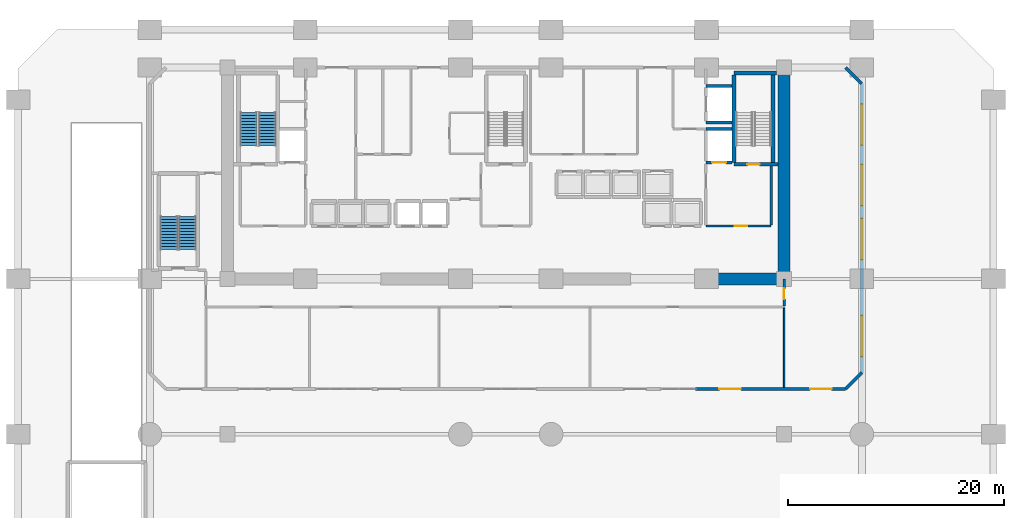
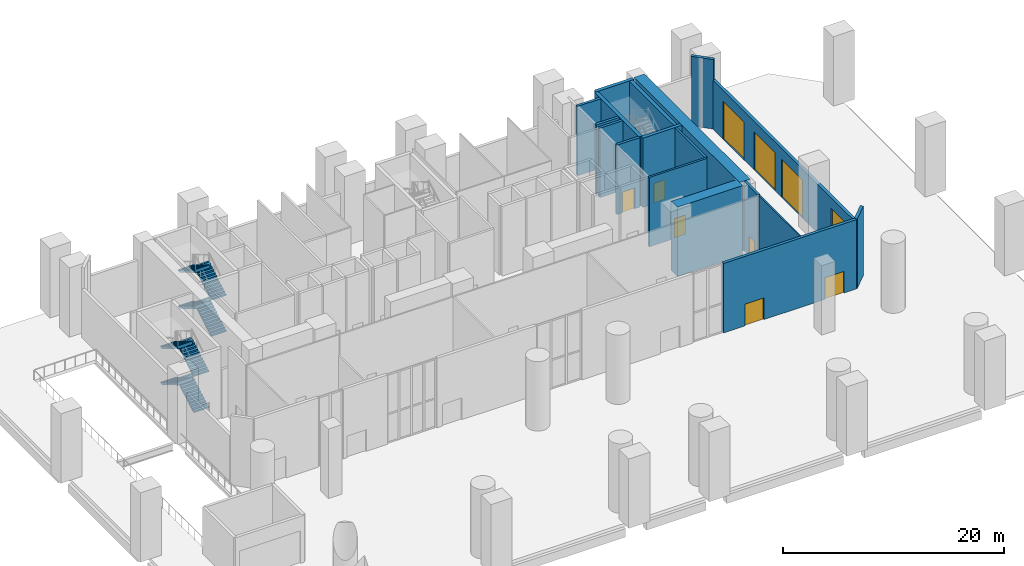
# One storey, part 13 of 17: 18 walls, 10 doors, 8 stair flights, 10 openings, 2 elements without a shape of their own.
"""IFC4 building model written with IfcOpenShell, lengths in metres."""

from ifc_helpers import new_model, si_unit, direction, frame, frame_2d, origin, place, context, subcontext, project, spatial, polyline, rectangle, outline, extrude, material, layer, layer_set, type_object, element, fill, aggregate, save


model = new_model("IFC4")

# Units and contexts
model_context = context("Model", 3, precision=1e-05, world=origin(), true_north=direction((0.0, 1.0)))
body_context = subcontext(model_context, "Body", "Model", "MODEL_VIEW")
ifc_project = project(units=[si_unit("LENGTHUNIT", "METRE"), si_unit("AREAUNIT", "SQUARE_METRE"), si_unit("VOLUMEUNIT", "CUBIC_METRE"), si_unit("PLANEANGLEUNIT", "RADIAN"), si_unit("MASSUNIT", "GRAM", prefix="KILO")], contexts=[model_context])

# Site, building, storey
site_placement = place(None, origin())
site = spatial("IfcSite", under=ifc_project, at=site_placement, CompositionType="ELEMENT")
building_placement = place(site_placement, origin())
building = spatial("IfcBuilding", under=site, at=building_placement, Name="Kaelvorn Grand Hotel", CompositionType="ELEMENT")
storey_placement = place(building_placement, origin())
storey = spatial("IfcBuildingStorey", under=building, at=storey_placement, Name="L00", CompositionType="ELEMENT", Elevation=0.0)

# Walls
ifc_material_1 = material(Name="Concrete C80/95", Category="concrete")
ifc_layer_1 = layer(ifc_material_1, 1.10009765625)
ifc_layer_set_1 = layer_set([ifc_layer_1], Name="Concrete C80/95")
wall_type_1 = type_object("IfcWallType", Name="WL-CORE-1100-C80", PredefinedType="SHEAR", material=ifc_layer_set_1)
wall_1_placement = place(storey_placement, frame((67.800048828125, 29.39990234375, 0.0), z_axis=(0.0, 0.0, 1.0), x_axis=(0.0, 1.0, 0.0)))
element("IfcWall", 1, at=wall_1_placement, inside=storey, type_object=wall_type_1, Name="L00 Rear-Core East Shear Wall", PredefinedType="SHEAR", context=body_context, shape_type="SweptSolid", body=[
    extrude(rectangle(XDim=19.2001953125, YDim=1.10009765625, at=frame_2d((9.60009765625, 0.0))), origin(), (0.0, 0.0, 1.0), 7.679931640625),
])
wall_2_placement = place(storey_placement, frame((60.39990234375, 29.39990234375, 0.0), z_axis=(0.0, 0.0, 1.0), x_axis=(1.0, 0.0, 0.0)))
element("IfcWall", 2, at=wall_2_placement, inside=storey, type_object=wall_type_1, Name="L00 Rear-Core Coupled Shear Pier S4", PredefinedType="SHEAR", context=body_context, shape_type="SweptSolid", body=[
    extrude(rectangle(XDim=6.84521484375, YDim=1.10009765625, at=frame_2d((3.422607421875, 0.0))), origin(), (0.0, 0.0, 1.0), 7.679931640625),
])

# Wall, openings, doors
ifc_material_2 = material(Name="Concrete C40/50", Category="concrete")
ifc_layer_2 = layer(ifc_material_2, 0.300048828125)
ifc_layer_set_2 = layer_set([ifc_layer_2], Name="Concrete C40/50")
wall_type_2 = type_object("IfcWallType", Name="WL-EXT-300-C40", PredefinedType="SOLIDWALL", material=ifc_layer_set_2)
wall_3_placement = place(storey_placement, frame((73.5, 19.199951171875, 0.0), z_axis=(0.0, 0.0, 1.0), x_axis=(-1.0, 0.0, 0.0)))
wall_3 = element("IfcWall", 3, at=wall_3_placement, inside=storey, type_object=wall_type_2, Name="L00 Ground Arrival Hall Exterior Wall 01 Pier 1", PredefinedType="SOLIDWALL", context=body_context, shape_type="SweptSolid", body=[
    extrude(rectangle(XDim=13.905029296875, YDim=0.300048828125, at=frame_2d((6.95263671875, 0.0))), origin(), (0.0, 0.0, 1.0), 7.679931640625),
])
opening_1_placement = place(wall_3_placement, frame((9.699951171875, 0.0, 0.0)))
opening_1 = element("IfcOpeningElement", 4, at=opening_1_placement, cuts=wall_3, Name="Opening DE1", PredefinedType="OPENING", context=body_context, shape_type="SweptSolid", body=[
    extrude(rectangle(XDim=2.0, YDim=2.39990234375, at=frame_2d((1.0, 1.199951171875))), frame((0.0, 0.16015625, 0.0), z_axis=(0.0, -1.0, 0.0), x_axis=(1.0, 0.0, 0.0)), (0.0, 0.0, 1.0), 0.320068359375),
])
opening_2_placement = place(wall_3_placement, frame((1.300048828125, 0.0, 0.0)))
opening_2 = element("IfcOpeningElement", 5, at=opening_2_placement, cuts=wall_3, Name="Opening DE1", PredefinedType="OPENING", context=body_context, shape_type="SweptSolid", body=[
    extrude(rectangle(XDim=2.0, YDim=2.39990234375, at=frame_2d((1.0, 1.199951171875))), frame((0.0, 0.16015625, 0.0), z_axis=(0.0, -1.0, 0.0), x_axis=(1.0, 0.0, 0.0)), (0.0, 0.0, 1.0), 0.320068359375),
])
ifc_material_3 = material(Name="Anodised Aluminium", Category="aluminium")
door_type_1 = type_object("IfcDoorType", Name="DR-EXT-EXIT-2000x2400", OperationType="DOUBLE_DOOR_SINGLE_SWING", PredefinedType="DOOR", material=ifc_material_3)
door_1_placement = place(opening_1_placement, origin())
door_1 = element("IfcDoor", 6, at=door_1_placement, inside=storey, type_object=door_type_1, Name="L00 Final Pedestrian Exit Double Door DE1-05", OperationType="DOUBLE_DOOR_SINGLE_SWING", OverallHeight=2.39990234375, OverallWidth=2.0, PredefinedType="DOOR", context=body_context, shape_type="SweptSolid", body=[
    extrude(rectangle(XDim=2.0, YDim=2.39990234375, at=frame_2d((1.0, 1.199951171875))), frame((0.0, 0.02490234375, 0.0), z_axis=(0.0, -1.0, 0.0), x_axis=(1.0, 0.0, 0.0)), (0.0, 0.0, 1.0), 0.050048828125),
])
fill(opening_1, door_1)
door_2_placement = place(opening_2_placement, origin())
door_2 = element("IfcDoor", 7, at=door_2_placement, inside=storey, type_object=door_type_1, Name="L00 Final Pedestrian Exit Double Door DE1-06", OperationType="DOUBLE_DOOR_SINGLE_SWING", OverallHeight=2.39990234375, OverallWidth=2.0, PredefinedType="DOOR", context=body_context, shape_type="SweptSolid", body=[
    extrude(rectangle(XDim=2.0, YDim=2.39990234375, at=frame_2d((1.0, 1.199951171875))), frame((0.0, 0.02490234375, 0.0), z_axis=(0.0, -1.0, 0.0), x_axis=(1.0, 0.0, 0.0)), (0.0, 0.0, 1.0), 0.050048828125),
])
fill(opening_2, door_2)

# Wall
wall_4_placement = place(storey_placement, frame((73.5, 19.199951171875, 0.0), z_axis=(0.0, 0.0, 1.0), x_axis=(0.707106781187, 0.707106781187, 0.0)))
element("IfcWall", 8, at=wall_4_placement, inside=storey, type_object=wall_type_2, Name="L00 Ground Arrival Hall Exterior Wall 02", PredefinedType="SOLIDWALL", context=body_context, shape_type="SweptSolid", body=[
    extrude(rectangle(XDim=2.121337890625, YDim=0.300048828125, at=frame_2d((1.060546875, 0.0))), origin(), (0.0, 0.0, 1.0), 7.679931640625),
])

# Wall, openings, doors
wall_5_placement = place(storey_placement, frame((75.0, 20.699951171875, 0.0), z_axis=(0.0, 0.0, 1.0), x_axis=(0.0, 1.0, 0.0)))
wall_5 = element("IfcWall", 9, at=wall_5_placement, inside=storey, type_object=wall_type_2, Name="L00 Ground Arrival Hall Exterior Wall 03", PredefinedType="SOLIDWALL", context=body_context, shape_type="SweptSolid", body=[
    extrude(rectangle(XDim=26.800048828125, YDim=0.300048828125, at=frame_2d((13.39990234375, 0.0))), origin(), (0.0, 0.0, 1.0), 5.39990234375),
])
opening_3_placement = place(wall_5_placement, frame((1.5, 0.0, 0.0)))
opening_3 = element("IfcOpeningElement", 10, at=opening_3_placement, cuts=wall_5, Name="Opening SHUTTER-LD1", PredefinedType="OPENING", context=body_context, shape_type="SweptSolid", body=[
    extrude(rectangle(XDim=3.800048828125, YDim=4.199951171875, at=frame_2d((1.89990234375, 2.10009765625))), frame((0.0, 0.16015625, 0.0), z_axis=(0.0, -1.0, 0.0), x_axis=(1.0, 0.0, 0.0)), (0.0, 0.0, 1.0), 0.320068359375),
])
opening_4_placement = place(wall_5_placement, frame((10.5, 0.0, 0.0)))
opening_4 = element("IfcOpeningElement", 11, at=opening_4_placement, cuts=wall_5, Name="Opening SHUTTER-LD2", PredefinedType="OPENING", context=body_context, shape_type="SweptSolid", body=[
    extrude(rectangle(XDim=3.800048828125, YDim=4.199951171875, at=frame_2d((1.89990234375, 2.10009765625))), frame((0.0, 0.16015625, 0.0), z_axis=(0.0, -1.0, 0.0), x_axis=(1.0, 0.0, 0.0)), (0.0, 0.0, 1.0), 0.320068359375),
])
opening_5_placement = place(wall_5_placement, frame((15.5, 0.0, 0.0)))
opening_5 = element("IfcOpeningElement", 12, at=opening_5_placement, cuts=wall_5, Name="Opening SHUTTER-LD3", PredefinedType="OPENING", context=body_context, shape_type="SweptSolid", body=[
    extrude(rectangle(XDim=3.800048828125, YDim=4.199951171875, at=frame_2d((1.89990234375, 2.10009765625))), frame((0.0, 0.16015625, 0.0), z_axis=(0.0, -1.0, 0.0), x_axis=(1.0, 0.0, 0.0)), (0.0, 0.0, 1.0), 0.320068359375),
])
opening_6_placement = place(wall_5_placement, frame((21.10009765625, 0.0, 0.0)))
opening_6 = element("IfcOpeningElement", 13, at=opening_6_placement, cuts=wall_5, Name="Opening SHUTTER-LD4", PredefinedType="OPENING", context=body_context, shape_type="SweptSolid", body=[
    extrude(rectangle(XDim=3.800048828125, YDim=4.199951171875, at=frame_2d((1.89990234375, 2.10009765625))), frame((0.0, 0.16015625, 0.0), z_axis=(0.0, -1.0, 0.0), x_axis=(1.0, 0.0, 0.0)), (0.0, 0.0, 1.0), 0.320068359375),
])
door_type_2 = type_object("IfcDoorType", Name="GT-SHUTTER-DOCK-3800x4200", OperationType="NOTDEFINED", PredefinedType="GATE", material=ifc_material_3)
door_3_placement = place(opening_3_placement, origin())
door_3 = element("IfcDoor", 14, at=door_3_placement, inside=storey, type_object=door_type_2, Name="L00 Loading Dock Overhead Roller Shutter SHUTTER-LD1", OperationType="SINGLE_SWING_LEFT", OverallHeight=4.199951171875, OverallWidth=3.800048828125, PredefinedType="GATE", context=body_context, shape_type="SweptSolid", body=[
    extrude(rectangle(XDim=3.800048828125, YDim=4.199951171875, at=frame_2d((1.89990234375, 2.10009765625))), frame((0.0, 0.02490234375, 0.0), z_axis=(0.0, -1.0, 0.0), x_axis=(1.0, 0.0, 0.0)), (0.0, 0.0, 1.0), 0.050048828125),
])
fill(opening_3, door_3)
door_4_placement = place(opening_4_placement, origin())
door_4 = element("IfcDoor", 15, at=door_4_placement, inside=storey, type_object=door_type_2, Name="L00 Loading Dock Overhead Roller Shutter SHUTTER-LD2", OperationType="SINGLE_SWING_LEFT", OverallHeight=4.199951171875, OverallWidth=3.800048828125, PredefinedType="GATE", context=body_context, shape_type="SweptSolid", body=[
    extrude(rectangle(XDim=3.800048828125, YDim=4.199951171875, at=frame_2d((1.89990234375, 2.10009765625))), frame((0.0, 0.02490234375, 0.0), z_axis=(0.0, -1.0, 0.0), x_axis=(1.0, 0.0, 0.0)), (0.0, 0.0, 1.0), 0.050048828125),
])
fill(opening_4, door_4)
door_5_placement = place(opening_5_placement, origin())
door_5 = element("IfcDoor", 16, at=door_5_placement, inside=storey, type_object=door_type_2, Name="L00 Loading Dock Overhead Roller Shutter SHUTTER-LD3", OperationType="SINGLE_SWING_LEFT", OverallHeight=4.199951171875, OverallWidth=3.800048828125, PredefinedType="GATE", context=body_context, shape_type="SweptSolid", body=[
    extrude(rectangle(XDim=3.800048828125, YDim=4.199951171875, at=frame_2d((1.89990234375, 2.10009765625))), frame((0.0, 0.02490234375, 0.0), z_axis=(0.0, -1.0, 0.0), x_axis=(1.0, 0.0, 0.0)), (0.0, 0.0, 1.0), 0.050048828125),
])
fill(opening_5, door_5)
door_6_placement = place(opening_6_placement, origin())
door_6 = element("IfcDoor", 17, at=door_6_placement, inside=storey, type_object=door_type_2, Name="L00 Loading Dock Overhead Roller Shutter SHUTTER-LD4", OperationType="SINGLE_SWING_LEFT", OverallHeight=4.199951171875, OverallWidth=3.800048828125, PredefinedType="GATE", context=body_context, shape_type="SweptSolid", body=[
    extrude(rectangle(XDim=3.800048828125, YDim=4.199951171875, at=frame_2d((1.89990234375, 2.10009765625))), frame((0.0, 0.02490234375, 0.0), z_axis=(0.0, -1.0, 0.0), x_axis=(1.0, 0.0, 0.0)), (0.0, 0.0, 1.0), 0.050048828125),
])
fill(opening_6, door_6)

# Walls
wall_6_placement = place(storey_placement, frame((75.0, 47.5, 0.0), z_axis=(0.0, 0.0, 1.0), x_axis=(-0.707106781187, 0.707106781187, 0.0)))
element("IfcWall", 18, at=wall_6_placement, inside=storey, type_object=wall_type_2, Name="L00 Ground Arrival Hall Exterior Wall 04", PredefinedType="SOLIDWALL", context=body_context, shape_type="SweptSolid", body=[
    extrude(rectangle(XDim=2.121337890625, YDim=0.300048828125, at=frame_2d((1.060546875, 0.0))), origin(), (0.0, 0.0, 1.0), 7.679931640625),
])
ifc_material_4 = material(Name="Acoustic Gypsum & Stud Partition")
ifc_layer_3 = layer(ifc_material_4, 0.14990234375)
ifc_layer_set_3 = layer_set([ifc_layer_3], Name="Acoustic Gypsum & Stud Partition")
wall_type_3 = type_object("IfcWallType", Name="WL-PART-150-EI60", PredefinedType="PARTITIONING", material=ifc_layer_set_3)
wall_7_placement = place(storey_placement, frame((67.800048828125, 19.35498046875, 0.0), z_axis=(0.0, 0.0, 1.0), x_axis=(0.0, 1.0, 0.0)))
element("IfcWall", 19, at=wall_7_placement, inside=storey, type_object=wall_type_3, Name="L00 Public Observation Deck Ticketing & Gallery Salon E Partition", PredefinedType="PARTITIONING", context=body_context, shape_type="SweptSolid", body=[
    extrude(rectangle(XDim=7.364990234375, YDim=0.14990234375, at=frame_2d((3.6826171875, 0.0))), origin(), (0.0, 0.0, 1.0), 7.679931640625),
])

# Wall, opening, door
ifc_layer_4 = layer(ifc_material_2, 0.219970703125)
ifc_layer_set_4 = layer_set([ifc_layer_4], Name="Concrete C40/50")
wall_type_4 = type_object("IfcWallType", Name="WL-PART-220-EI120", PredefinedType="PARTITIONING", material=ifc_layer_set_4)
wall_8_placement = place(storey_placement, frame((60.550048828125, 34.300048828125, 0.0), z_axis=(0.0, 0.0, 1.0), x_axis=(1.0, 0.0, 0.0)))
wall_8 = element("IfcWall", 20, at=wall_8_placement, inside=storey, type_object=wall_type_4, Name="L00 Firefighting Lift Lobby 2 S Partition", PredefinedType="PARTITIONING", context=body_context, shape_type="SweptSolid", body=[
    extrude(rectangle(XDim=6.050048828125, YDim=0.219970703125, at=frame_2d((3.02490234375, 0.0))), origin(), (0.0, 0.0, 1.0), 7.679931640625),
])
opening_7_placement = place(wall_8_placement, frame((2.64990234375, 0.0, 0.0)))
opening_7 = element("IfcOpeningElement", 21, at=opening_7_placement, cuts=wall_8, Name="Opening DI2", PredefinedType="OPENING", context=body_context, shape_type="SweptSolid", body=[
    extrude(rectangle(XDim=1.199951171875, YDim=2.14990234375, at=frame_2d((0.60009765625, 1.074951171875))), frame((0.0, 0.1201171875, 0.0), z_axis=(0.0, -1.0, 0.0), x_axis=(1.0, 0.0, 0.0)), (0.0, 0.0, 1.0), 0.239990234375),
])
ifc_material_5 = material(Name="Timber Veneer Fire Leaf", Category="wood")
door_type_3 = type_object("IfcDoorType", Name="DR-INT-FFLOB-1200x2150", OperationType="NOTDEFINED", PredefinedType="DOOR", material=ifc_material_5)
door_7_placement = place(opening_7_placement, origin())
door_7 = element("IfcDoor", 22, at=door_7_placement, inside=storey, type_object=door_type_3, Name="L00 Firefighting Lift Lobby 2 Door", OperationType="SINGLE_SWING_RIGHT", OverallHeight=2.14990234375, OverallWidth=1.199951171875, PredefinedType="DOOR", context=body_context, shape_type="SweptSolid", body=[
    extrude(rectangle(XDim=1.199951171875, YDim=2.14990234375, at=frame_2d((0.60009765625, 1.074951171875))), frame((0.0, 0.02490234375, 0.0), z_axis=(0.0, -1.0, 0.0), x_axis=(1.0, 0.0, 0.0)), (0.0, 0.0, 1.0), 0.050048828125),
])
fill(opening_7, door_7)

# Wall
wall_9_placement = place(storey_placement, frame((66.60009765625, 34.4150390625, 0.0), z_axis=(0.0, 0.0, 1.0), x_axis=(0.0, 1.0, 0.0)))
element("IfcWall", 23, at=wall_9_placement, inside=storey, type_object=wall_type_4, Name="L00 Firefighting Lift Lobby 2 E Partition", PredefinedType="PARTITIONING", context=body_context, shape_type="SweptSolid", body=[
    extrude(rectangle(XDim=5.429931640625, YDim=0.219970703125, at=frame_2d((2.71484375, 0.0))), origin(), (0.0, 0.0, 1.0), 7.679931640625),
])

# Wall, opening, door
wall_10_placement = place(storey_placement, frame((67.800048828125, 26.8798828125, 0.0), z_axis=(0.0, 0.0, 1.0), x_axis=(0.0, 1.0, 0.0)))
wall_10 = element("IfcWall", 24, at=wall_10_placement, inside=storey, type_object=wall_type_4, Name="L00 Two-Bay Enclosed Goods Loading Dock W Partition", PredefinedType="PARTITIONING", context=body_context, shape_type="SweptSolid", body=[
    extrude(rectangle(XDim=2.510009765625, YDim=0.219970703125, at=frame_2d((1.2548828125, 0.0))), origin(), (0.0, 0.0, 1.0), 7.679931640625),
])
opening_8_placement = place(wall_10_placement, frame((0.64990234375, 0.0, 0.0)))
opening_8 = element("IfcOpeningElement", 25, at=opening_8_placement, cuts=wall_10, Name="Opening DI3", PredefinedType="OPENING", context=body_context, shape_type="SweptSolid", body=[
    extrude(rectangle(XDim=1.0, YDim=2.14990234375, at=frame_2d((0.5, 1.074951171875))), frame((0.0, 0.1201171875, 0.0), z_axis=(0.0, -1.0, 0.0), x_axis=(1.0, 0.0, 0.0)), (0.0, 0.0, 1.0), 0.239990234375),
])
door_type_4 = type_object("IfcDoorType", Name="DR-INT-GUEST-1000x2150", OperationType="NOTDEFINED", PredefinedType="DOOR", material=ifc_material_5)
door_8_placement = place(opening_8_placement, origin())
door_8 = element("IfcDoor", 26, at=door_8_placement, inside=storey, type_object=door_type_4, Name="L00 Two-Bay Enclosed Goods Loading Dock Door", OperationType="SINGLE_SWING_LEFT", OverallHeight=2.14990234375, OverallWidth=1.0, PredefinedType="DOOR", context=body_context, shape_type="SweptSolid", body=[
    extrude(rectangle(XDim=1.0, YDim=2.14990234375, at=frame_2d((0.5, 1.074951171875))), frame((0.0, 0.02490234375, 0.0), z_axis=(0.0, -1.0, 0.0), x_axis=(1.0, 0.0, 0.0)), (0.0, 0.0, 1.0), 0.050048828125),
])
fill(opening_8, door_8)

ifc_material_6 = material(Name="Concrete C50/60", Category="concrete")
ifc_layer_5 = layer(ifc_material_6, 0.280029296875)
ifc_layer_set_5 = layer_set([ifc_layer_5], Name="Concrete C50/60")
wall_type_5 = type_object("IfcWallType", Name="WL-SHAFT-280-C50", PredefinedType="SHEAR", material=ifc_layer_set_5)
wall_11_placement = place(storey_placement, frame((60.550048828125, 40.199951171875, 0.0), z_axis=(0.0, 0.0, 1.0), x_axis=(1.0, 0.0, 0.0)))
wall_11 = element("IfcWall", 27, at=wall_11_placement, inside=storey, type_object=wall_type_5, Name="L00 Lift FFL2 Shaft South Wall", PredefinedType="SHEAR", context=body_context, shape_type="SweptSolid", body=[
    extrude(rectangle(XDim=2.4150390625, YDim=0.280029296875, at=frame_2d((1.20751953125, 0.0))), origin(), (0.0, 0.0, 1.0), 7.679931640625),
])
opening_9_placement = place(wall_11_placement, frame((0.574951171875, 0.0, 0.0)))
opening_9 = element("IfcOpeningElement", 28, at=opening_9_placement, cuts=wall_11, Name="Opening LD-FFL2", PredefinedType="OPENING", context=body_context, shape_type="SweptSolid", body=[
    extrude(rectangle(XDim=1.300048828125, YDim=2.300048828125, at=frame_2d((0.64990234375, 1.14990234375))), frame((0.0, 0.14990234375, 0.0), z_axis=(0.0, -1.0, 0.0), x_axis=(1.0, 0.0, 0.0)), (0.0, 0.0, 1.0), 0.300048828125),
])
ifc_material_7 = material(Name="Stainless Steel", Category="steel")
door_type_5 = type_object("IfcDoorType", Name="DR-LIFT-SERV-1300x2300", OperationType="DOUBLE_DOOR_SLIDING", PredefinedType="DOOR", material=ifc_material_7)
door_9_placement = place(opening_9_placement, origin())
door_9 = element("IfcDoor", 29, at=door_9_placement, inside=storey, type_object=door_type_5, Name="L00 Lift FFL2 Sliding Landing Door LD-FFL2", OperationType="DOUBLE_DOOR_SLIDING", OverallHeight=2.300048828125, OverallWidth=1.300048828125, PredefinedType="DOOR", context=body_context, shape_type="SweptSolid", body=[
    extrude(rectangle(XDim=1.300048828125, YDim=2.300048828125, at=frame_2d((0.64990234375, 1.14990234375))), frame((0.0, 0.02490234375, 0.0), z_axis=(0.0, -1.0, 0.0), x_axis=(1.0, 0.0, 0.0)), (0.0, 0.0, 1.0), 0.050048828125),
])
fill(opening_9, door_9)

# Walls
for number, where, z_axis, x_axis, name in (
    (30, (60.550048828125, 43.300048828125, 0.0), (0.0, 0.0, 1.0), (1.0, 0.0, 0.0), "L00 Lift FFL2 Shaft North Wall"),
    (31, (60.550048828125, 43.89990234375, 0.0), (0.0, 0.0, 1.0), (1.0, 0.0, 0.0), "L00 Lift SV1 Shaft South Wall"),
    (32, (60.550048828125, 47.300048828125, 0.0), (0.0, 0.0, 1.0), (1.0, 0.0, 0.0), "L00 Lift SV1 Shaft North Wall"),
):
    element("IfcWall", number, at=place(storey_placement, frame(where, z_axis=z_axis, x_axis=x_axis)), inside=storey, type_object=wall_type_5, Name=name, PredefinedType="SHEAR", context=body_context, shape_type="SweptSolid", body=[
        extrude(rectangle(XDim=2.4150390625, YDim=0.280029296875, at=frame_2d((1.20751953125, 0.0))), origin(), (0.0, 0.0, 1.0), 7.679931640625),
    ])

# Wall, opening, door
ifc_material_8 = material(Name="Concrete C60/75", Category="concrete")
ifc_layer_6 = layer(ifc_material_8, 0.35009765625)
ifc_layer_set_6 = layer_set([ifc_layer_6], Name="Concrete C60/75")
wall_type_6 = type_object("IfcWallType", Name="WL-SHAFT-350-C60", PredefinedType="SHEAR", material=ifc_layer_set_6)
wall_12_placement = place(storey_placement, frame((63.14501953125, 40.02490234375, 0.0), z_axis=(0.0, 0.0, 1.0), x_axis=(1.0, 0.0, 0.0)))
wall_12 = element("IfcWall", 33, at=wall_12_placement, inside=storey, type_object=wall_type_6, Name="L00 ST3 Stair Shaft South Wall", PredefinedType="SHEAR", context=body_context, shape_type="SweptSolid", body=[
    extrude(rectangle(XDim=4.10009765625, YDim=0.35009765625, at=frame_2d((2.050048828125, 0.0))), origin(), (0.0, 0.0, 1.0), 7.679931640625),
])
opening_10_placement = place(wall_12_placement, frame((1.239990234375, 0.0, 0.0)))
opening_10 = element("IfcOpeningElement", 34, at=opening_10_placement, cuts=wall_12, Name="Opening DI1", PredefinedType="OPENING", context=body_context, shape_type="SweptSolid", body=[
    extrude(rectangle(XDim=1.14990234375, YDim=2.14990234375, at=frame_2d((0.574951171875, 1.074951171875))), frame((0.0, 0.18505859375, 0.0), z_axis=(0.0, -1.0, 0.0), x_axis=(1.0, 0.0, 0.0)), (0.0, 0.0, 1.0), 0.3701171875),
])
door_type_6 = type_object("IfcDoorType", Name="DR-INT-STAIR-1150x2150", OperationType="NOTDEFINED", PredefinedType="DOOR", material=ifc_material_5)
door_10_placement = place(opening_10_placement, origin())
door_10 = element("IfcDoor", 35, at=door_10_placement, inside=storey, type_object=door_type_6, Name="L00 ST3 Exit Stair Fire Door", OperationType="SINGLE_SWING_LEFT", OverallHeight=2.14990234375, OverallWidth=1.14990234375, PredefinedType="DOOR", context=body_context, shape_type="SweptSolid", body=[
    extrude(rectangle(XDim=1.14990234375, YDim=2.14990234375, at=frame_2d((0.574951171875, 1.074951171875))), frame((0.0, 0.02490234375, 0.0), z_axis=(0.0, -1.0, 0.0), x_axis=(1.0, 0.0, 0.0)), (0.0, 0.0, 1.0), 0.050048828125),
])
fill(opening_10, door_10)

# Walls
wall_13_placement = place(storey_placement, frame((63.14501953125, 48.47509765625, 0.0), z_axis=(0.0, 0.0, 1.0), x_axis=(1.0, 0.0, 0.0)))
element("IfcWall", 36, at=wall_13_placement, inside=storey, type_object=wall_type_6, Name="L00 ST3 Stair Shaft North Wall", PredefinedType="SHEAR", context=body_context, shape_type="SweptSolid", body=[
    extrude(rectangle(XDim=3.949951171875, YDim=0.35009765625, at=frame_2d((1.97509765625, 0.0))), origin(), (0.0, 0.0, 1.0), 7.679931640625),
])
for number, where, z_axis, x_axis, name in (
    (37, (63.14501953125, 40.205078125, 0.0), (0.0, 0.0, 1.0), (0.0, 1.0, 0.0), "L00 ST3 Stair Shaft West Wall"),
    (38, (66.77490234375, 40.205078125, 0.0), (0.0, 0.0, 1.0), (0.0, 1.0, 0.0), "L00 ST3 Stair Shaft East Wall"),
):
    element("IfcWall", number, at=place(storey_placement, frame(where, z_axis=z_axis, x_axis=x_axis)), inside=storey, type_object=wall_type_6, Name=name, PredefinedType="SHEAR", context=body_context, shape_type="SweptSolid", body=[
        extrude(rectangle(XDim=8.08984375, YDim=0.35009765625, at=frame_2d((4.044921875, 0.0))), origin(), (0.0, 0.0, 1.0), 7.679931640625),
    ])

# Stair, stair flights
stair_type = type_object("IfcStairType", Name="STR-DOG-1560-R02", PredefinedType="HALF_TURN_STAIR", material=ifc_material_2)
stair_1_placement = place(storey_placement, origin())
stair_1 = element("IfcStair", 39, at=stair_1_placement, inside=storey, type_object=stair_type, Name="L00 West Core Exit Stair ST1", PredefinedType="HALF_TURN_STAIR")
stair_flight_type = type_object("IfcStairFlightType", Name="FLG-DOG-1560-R02", PredefinedType="STRAIGHT", material=ifc_material_2)
stair_flight_1_placement = place(storey_placement, frame((19.89990234375, 41.760009765625, 0.0), z_axis=(0.0, 0.0, 1.0), x_axis=(0.0, 1.0, 0.0)))
stair_flight_1 = element("IfcStairFlight", 40, at=stair_flight_1_placement, type_object=stair_flight_type, Name="ST1 flight 1", NumberOfRisers=12, NumberOfTreads=11, PredefinedType="STRAIGHT", RiserHeight=0.166666667, TreadLength=0.28, context=body_context, shape_type="SweptSolid", body=[
    extrude(outline(polyline([(-0.0048828125, 0.0), (-0.0048828125, 0.0400390625), (0.0, 0.166748046875), (0.280029296875, 0.166748046875), (0.280029296875, 0.333251953125), (0.56005859375, 0.333251953125), (0.56005859375, 0.5), (0.840087890625, 0.5), (0.840087890625, 0.666748046875), (1.1201171875, 0.666748046875), (1.1201171875, 0.833251953125), (1.39990234375, 0.833251953125), (1.39990234375, 1.0), (1.679931640625, 1.0), (1.679931640625, 1.166748046875), (1.9599609375, 1.166748046875), (1.9599609375, 1.333251953125), (2.239990234375, 1.333251953125), (2.239990234375, 1.5), (2.52001953125, 1.5), (2.52001953125, 1.666748046875), (2.800048828125, 1.666748046875), (2.800048828125, 1.833251953125), (3.080078125, 1.833251953125), (3.080078125, 2.0), (3.0849609375, 2.0), (3.0849609375, 1.658935546875), (0.29296875, 0.0), (-0.0048828125, 0.0)])), frame((0.0, 0.780029296875, 0.0), z_axis=(0.0, -1.0, 0.0), x_axis=(1.0, 0.0, 0.0)), (0.0, 0.0, 1.0), 1.56005859375),
])
stair_flight_2_placement = place(storey_placement, frame((18.179931640625, 44.840087890625, 2.0), z_axis=(0.0, 0.0, 1.0), x_axis=(0.0, -1.0, 0.0)))
stair_flight_2 = element("IfcStairFlight", 41, at=stair_flight_2_placement, type_object=stair_flight_type, Name="ST1 flight 2", NumberOfRisers=12, NumberOfTreads=11, PredefinedType="STRAIGHT", RiserHeight=0.166666667, TreadLength=0.28, context=body_context, shape_type="SweptSolid", body=[
    extrude(outline(polyline([(-0.0048828125, 0.0), (-0.0048828125, 0.0400390625), (0.0, 0.166748046875), (0.280029296875, 0.166748046875), (0.280029296875, 0.333251953125), (0.56005859375, 0.333251953125), (0.56005859375, 0.5), (0.840087890625, 0.5), (0.840087890625, 0.666748046875), (1.1201171875, 0.666748046875), (1.1201171875, 0.833251953125), (1.39990234375, 0.833251953125), (1.39990234375, 1.0), (1.679931640625, 1.0), (1.679931640625, 1.166748046875), (1.9599609375, 1.166748046875), (1.9599609375, 1.333251953125), (2.239990234375, 1.333251953125), (2.239990234375, 1.5), (2.52001953125, 1.5), (2.52001953125, 1.666748046875), (2.800048828125, 1.666748046875), (2.800048828125, 1.833251953125), (3.080078125, 1.833251953125), (3.080078125, 2.0), (3.0849609375, 2.0), (3.0849609375, 1.658935546875), (0.29296875, 0.0), (-0.0048828125, 0.0)])), frame((0.0, 0.780029296875, 0.0), z_axis=(0.0, -1.0, 0.0), x_axis=(1.0, 0.0, 0.0)), (0.0, 0.0, 1.0), 1.56005859375),
])
stair_flight_3_placement = place(storey_placement, frame((19.89990234375, 41.760009765625, 4.0), z_axis=(0.0, 0.0, 1.0), x_axis=(0.0, 1.0, 0.0)))
stair_flight_3 = element("IfcStairFlight", 42, at=stair_flight_3_placement, type_object=stair_flight_type, Name="ST1 flight 3", NumberOfRisers=12, NumberOfTreads=11, PredefinedType="STRAIGHT", RiserHeight=0.166666667, TreadLength=0.28, context=body_context, shape_type="SweptSolid", body=[
    extrude(outline(polyline([(-0.0048828125, 0.0), (-0.0048828125, 0.0400390625), (0.0, 0.166748046875), (0.280029296875, 0.166748046875), (0.280029296875, 0.333251953125), (0.56005859375, 0.333251953125), (0.56005859375, 0.5), (0.840087890625, 0.5), (0.840087890625, 0.666748046875), (1.1201171875, 0.666748046875), (1.1201171875, 0.833251953125), (1.39990234375, 0.833251953125), (1.39990234375, 1.0), (1.679931640625, 1.0), (1.679931640625, 1.166748046875), (1.9599609375, 1.166748046875), (1.9599609375, 1.333251953125), (2.239990234375, 1.333251953125), (2.239990234375, 1.5), (2.52001953125, 1.5), (2.52001953125, 1.666748046875), (2.800048828125, 1.666748046875), (2.800048828125, 1.833251953125), (3.080078125, 1.833251953125), (3.080078125, 2.0), (3.0849609375, 2.0), (3.0849609375, 1.658935546875), (0.29296875, 0.0), (-0.0048828125, 0.0)])), frame((0.0, 0.780029296875, 0.0), z_axis=(0.0, -1.0, 0.0), x_axis=(1.0, 0.0, 0.0)), (0.0, 0.0, 1.0), 1.56005859375),
])
stair_flight_4_placement = place(storey_placement, frame((18.179931640625, 44.840087890625, 6.0), z_axis=(0.0, 0.0, 1.0), x_axis=(0.0, -1.0, 0.0)))
stair_flight_4 = element("IfcStairFlight", 43, at=stair_flight_4_placement, type_object=stair_flight_type, Name="ST1 flight 4", NumberOfRisers=12, NumberOfTreads=11, PredefinedType="STRAIGHT", RiserHeight=0.166666667, TreadLength=0.28, context=body_context, shape_type="SweptSolid", body=[
    extrude(outline(polyline([(-0.0048828125, 0.0), (-0.0048828125, 0.0400390625), (0.0, 0.166748046875), (0.280029296875, 0.166748046875), (0.280029296875, 0.333251953125), (0.56005859375, 0.333251953125), (0.56005859375, 0.5), (0.840087890625, 0.5), (0.840087890625, 0.666748046875), (1.1201171875, 0.666748046875), (1.1201171875, 0.833251953125), (1.39990234375, 0.833251953125), (1.39990234375, 1.0), (1.679931640625, 1.0), (1.679931640625, 1.166748046875), (1.9599609375, 1.166748046875), (1.9599609375, 1.333251953125), (2.239990234375, 1.333251953125), (2.239990234375, 1.5), (2.52001953125, 1.5), (2.52001953125, 1.666748046875), (2.800048828125, 1.666748046875), (2.800048828125, 1.833251953125), (3.080078125, 1.833251953125), (3.080078125, 2.0), (3.0849609375, 2.0), (3.0849609375, 1.658935546875), (0.29296875, 0.0), (-0.0048828125, 0.0)])), frame((0.0, 0.780029296875, 0.0), z_axis=(0.0, -1.0, 0.0), x_axis=(1.0, 0.0, 0.0)), (0.0, 0.0, 1.0), 1.56005859375),
])
aggregate(stair_1, [stair_flight_1, stair_flight_2, stair_flight_3, stair_flight_4])

stair_2_placement = place(storey_placement, origin())
stair_2 = element("IfcStair", 44, at=stair_2_placement, inside=storey, type_object=stair_type, Name="L00 Podium Grand Stair ST4", PredefinedType="HALF_TURN_STAIR")
stair_flight_5_placement = place(storey_placement, frame((12.5, 32.110107421875, 0.0), z_axis=(0.0, 0.0, 1.0), x_axis=(0.0, 1.0, 0.0)))
stair_flight_5 = element("IfcStairFlight", 45, at=stair_flight_5_placement, type_object=stair_flight_type, Name="ST4 flight 1", NumberOfRisers=12, NumberOfTreads=11, PredefinedType="STRAIGHT", RiserHeight=0.166666667, TreadLength=0.28, context=body_context, shape_type="SweptSolid", body=[
    extrude(outline(polyline([(-0.0048828125, 0.0), (-0.0048828125, 0.0400390625), (0.0, 0.166748046875), (0.280029296875, 0.166748046875), (0.280029296875, 0.333251953125), (0.56005859375, 0.333251953125), (0.56005859375, 0.5), (0.840087890625, 0.5), (0.840087890625, 0.666748046875), (1.1201171875, 0.666748046875), (1.1201171875, 0.833251953125), (1.39990234375, 0.833251953125), (1.39990234375, 1.0), (1.679931640625, 1.0), (1.679931640625, 1.166748046875), (1.9599609375, 1.166748046875), (1.9599609375, 1.333251953125), (2.239990234375, 1.333251953125), (2.239990234375, 1.5), (2.52001953125, 1.5), (2.52001953125, 1.666748046875), (2.800048828125, 1.666748046875), (2.800048828125, 1.833251953125), (3.080078125, 1.833251953125), (3.080078125, 2.0), (3.0849609375, 2.0), (3.0849609375, 1.658935546875), (0.29296875, 0.0), (-0.0048828125, 0.0)])), frame((0.0, 0.780029296875, 0.0), z_axis=(0.0, -1.0, 0.0), x_axis=(1.0, 0.0, 0.0)), (0.0, 0.0, 1.0), 1.56005859375),
])
stair_flight_6_placement = place(storey_placement, frame((10.780029296875, 35.18994140625, 2.0), z_axis=(0.0, 0.0, 1.0), x_axis=(0.0, -1.0, 0.0)))
stair_flight_6 = element("IfcStairFlight", 46, at=stair_flight_6_placement, type_object=stair_flight_type, Name="ST4 flight 2", NumberOfRisers=12, NumberOfTreads=11, PredefinedType="STRAIGHT", RiserHeight=0.166666667, TreadLength=0.28, context=body_context, shape_type="SweptSolid", body=[
    extrude(outline(polyline([(-0.0048828125, 0.0), (-0.0048828125, 0.0400390625), (0.0, 0.166748046875), (0.280029296875, 0.166748046875), (0.280029296875, 0.333251953125), (0.56005859375, 0.333251953125), (0.56005859375, 0.5), (0.840087890625, 0.5), (0.840087890625, 0.666748046875), (1.1201171875, 0.666748046875), (1.1201171875, 0.833251953125), (1.39990234375, 0.833251953125), (1.39990234375, 1.0), (1.679931640625, 1.0), (1.679931640625, 1.166748046875), (1.9599609375, 1.166748046875), (1.9599609375, 1.333251953125), (2.239990234375, 1.333251953125), (2.239990234375, 1.5), (2.52001953125, 1.5), (2.52001953125, 1.666748046875), (2.800048828125, 1.666748046875), (2.800048828125, 1.833251953125), (3.080078125, 1.833251953125), (3.080078125, 2.0), (3.0849609375, 2.0), (3.0849609375, 1.658935546875), (0.29296875, 0.0), (-0.0048828125, 0.0)])), frame((0.0, 0.780029296875, 0.0), z_axis=(0.0, -1.0, 0.0), x_axis=(1.0, 0.0, 0.0)), (0.0, 0.0, 1.0), 1.56005859375),
])
stair_flight_7_placement = place(storey_placement, frame((12.5, 32.110107421875, 4.0), z_axis=(0.0, 0.0, 1.0), x_axis=(0.0, 1.0, 0.0)))
stair_flight_7 = element("IfcStairFlight", 47, at=stair_flight_7_placement, type_object=stair_flight_type, Name="ST4 flight 3", NumberOfRisers=12, NumberOfTreads=11, PredefinedType="STRAIGHT", RiserHeight=0.166666667, TreadLength=0.28, context=body_context, shape_type="SweptSolid", body=[
    extrude(outline(polyline([(-0.0048828125, 0.0), (-0.0048828125, 0.0400390625), (0.0, 0.166748046875), (0.280029296875, 0.166748046875), (0.280029296875, 0.333251953125), (0.56005859375, 0.333251953125), (0.56005859375, 0.5), (0.840087890625, 0.5), (0.840087890625, 0.666748046875), (1.1201171875, 0.666748046875), (1.1201171875, 0.833251953125), (1.39990234375, 0.833251953125), (1.39990234375, 1.0), (1.679931640625, 1.0), (1.679931640625, 1.166748046875), (1.9599609375, 1.166748046875), (1.9599609375, 1.333251953125), (2.239990234375, 1.333251953125), (2.239990234375, 1.5), (2.52001953125, 1.5), (2.52001953125, 1.666748046875), (2.800048828125, 1.666748046875), (2.800048828125, 1.833251953125), (3.080078125, 1.833251953125), (3.080078125, 2.0), (3.0849609375, 2.0), (3.0849609375, 1.658935546875), (0.29296875, 0.0), (-0.0048828125, 0.0)])), frame((0.0, 0.780029296875, 0.0), z_axis=(0.0, -1.0, 0.0), x_axis=(1.0, 0.0, 0.0)), (0.0, 0.0, 1.0), 1.56005859375),
])
stair_flight_8_placement = place(storey_placement, frame((10.780029296875, 35.18994140625, 6.0), z_axis=(0.0, 0.0, 1.0), x_axis=(0.0, -1.0, 0.0)))
stair_flight_8 = element("IfcStairFlight", 48, at=stair_flight_8_placement, type_object=stair_flight_type, Name="ST4 flight 4", NumberOfRisers=12, NumberOfTreads=11, PredefinedType="STRAIGHT", RiserHeight=0.166666667, TreadLength=0.28, context=body_context, shape_type="SweptSolid", body=[
    extrude(outline(polyline([(-0.0048828125, 0.0), (-0.0048828125, 0.0400390625), (0.0, 0.166748046875), (0.280029296875, 0.166748046875), (0.280029296875, 0.333251953125), (0.56005859375, 0.333251953125), (0.56005859375, 0.5), (0.840087890625, 0.5), (0.840087890625, 0.666748046875), (1.1201171875, 0.666748046875), (1.1201171875, 0.833251953125), (1.39990234375, 0.833251953125), (1.39990234375, 1.0), (1.679931640625, 1.0), (1.679931640625, 1.166748046875), (1.9599609375, 1.166748046875), (1.9599609375, 1.333251953125), (2.239990234375, 1.333251953125), (2.239990234375, 1.5), (2.52001953125, 1.5), (2.52001953125, 1.666748046875), (2.800048828125, 1.666748046875), (2.800048828125, 1.833251953125), (3.080078125, 1.833251953125), (3.080078125, 2.0), (3.0849609375, 2.0), (3.0849609375, 1.658935546875), (0.29296875, 0.0), (-0.0048828125, 0.0)])), frame((0.0, 0.780029296875, 0.0), z_axis=(0.0, -1.0, 0.0), x_axis=(1.0, 0.0, 0.0)), (0.0, 0.0, 1.0), 1.56005859375),
])
aggregate(stair_2, [stair_flight_5, stair_flight_6, stair_flight_7, stair_flight_8])

save(model, "model.ifc")
